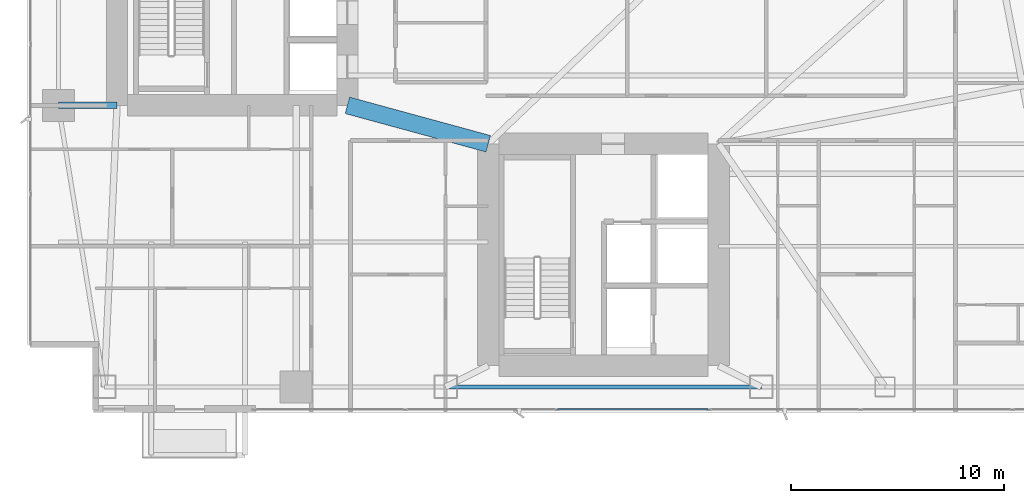
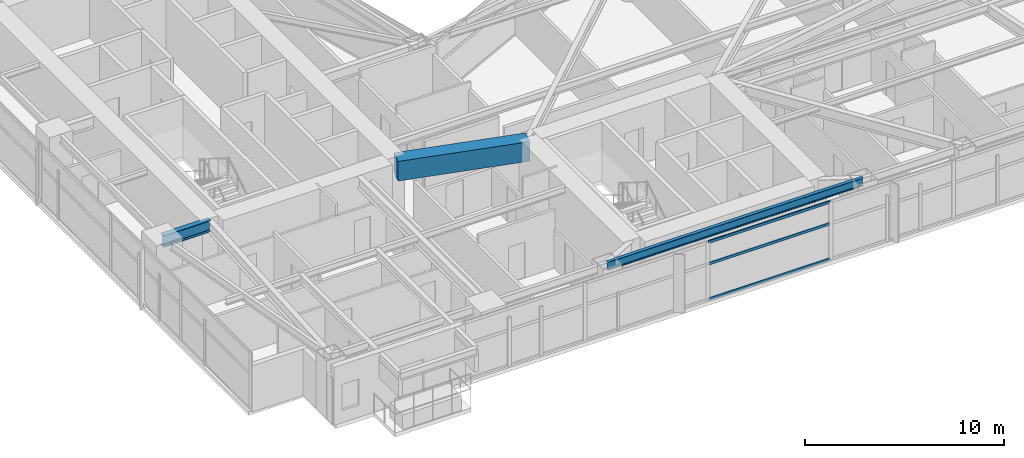
# One storey, part 7 of 30: 3 beams, 3 members, 1 element without a shape of its own.
"""IFC4 building model written with IfcOpenShell, lengths in metres."""

from ifc_helpers import new_model, si_unit, direction, frame, origin, origin_2d, place, context, subcontext, project, spatial, rectangle, hollow_rectangle, i_section, extrude, material, layer, layer_set, material_profile, profile_set, type_object, element, aggregate, save


model = new_model("IFC4")

# Units and contexts
model_context = context("Model", 3, precision=1e-05, world=origin(), true_north=direction((0.0, 1.0)))
body_context = subcontext(model_context, "Body", "Model", "MODEL_VIEW")
ifc_project = project(units=[si_unit("LENGTHUNIT", "METRE"), si_unit("AREAUNIT", "SQUARE_METRE"), si_unit("VOLUMEUNIT", "CUBIC_METRE"), si_unit("PLANEANGLEUNIT", "RADIAN"), si_unit("MASSUNIT", "GRAM", prefix="KILO")], contexts=[model_context])

# Site, building, storey
site_placement = place(None, origin())
site = spatial("IfcSite", under=ifc_project, at=site_placement, CompositionType="ELEMENT")
building_placement = place(site_placement, origin())
building = spatial("IfcBuilding", under=site, at=building_placement, Name="Calvorn Quay Hotel", CompositionType="ELEMENT")
storey_placement = place(building_placement, frame((0.0, 0.0, 77.39990234375)))
storey = spatial("IfcBuildingStorey", under=building, at=storey_placement, Name="L18", CompositionType="ELEMENT", Elevation=77.39990234375)

# Beams
ifc_material_1 = material(Name="Steel Q390GJC", Category="steel")
ifc_material_profile_1 = material_profile(ifc_material_1, i_section(OverallWidth=0.300048828125, OverallDepth=0.699951171875, WebThickness=0.012939453125, FlangeThickness=0.02392578125, FilletRadius=0.02392578125, at=origin_2d()), Name="HN700x300x13x24")
ifc_profile_set_1 = profile_set([ifc_material_profile_1], Name="Steel Q390GJC")
beam_type_1 = type_object("IfcBeamType", Name="BM-GIRD-MAIN", PredefinedType="BEAM", material=ifc_profile_set_1)
beam_1_placement = place(storey_placement, frame((1.449951171875, 16.800048828125, 3.190185546875), z_axis=(1.0, 0.0, 0.0), x_axis=(0.0, 1.0, 0.0)))
element("IfcBeam", 1, at=beam_1_placement, inside=storey, type_object=beam_type_1, Name="Beam BG-L18-W1", PredefinedType="BEAM", context=body_context, shape_type="SweptSolid", body=[
    extrude(i_section(OverallWidth=0.300048828125, OverallDepth=0.699951171875, WebThickness=0.012939453125, FlangeThickness=0.02392578125, FilletRadius=0.02392578125, at=origin_2d()), origin(), (0.0, 0.0, 1.0), 2.75),
])
ifc_material_2 = material(Name="Concrete C60", Category="concrete")
ifc_material_profile_2 = material_profile(ifc_material_2, rectangle(XDim=0.800048828125, YDim=1.199951171875, at=origin_2d()), Name="RCB800x1200")
ifc_profile_set_2 = profile_set([ifc_material_profile_2], Name="Concrete C60")
beam_type_2 = type_object("IfcBeamType", Name="BM-RC-LINK-800x1200", PredefinedType="BEAM", material=ifc_profile_set_2)
beam_2_placement = place(storey_placement, frame((15.0, 16.800048828125, 2.940185546875), z_axis=(0.964762997686, -0.263120425462, 0.0), x_axis=(0.263120425462, 0.964762997686, 0.0)))
element("IfcBeam", 2, at=beam_2_placement, inside=storey, type_object=beam_type_2, Name="Beam BCL-L18-01", PredefinedType="BEAM", context=body_context, shape_type="SweptSolid", body=[
    extrude(rectangle(XDim=0.800048828125, YDim=1.199951171875, at=origin_2d()), origin(), (0.0, 0.0, 1.0), 6.841064453125),
])
ifc_material_3 = material(Name="Steel Q355B", Category="steel")
ifc_material_profile_3 = material_profile(ifc_material_3, i_section(OverallWidth=0.199951171875, OverallDepth=0.5, WebThickness=0.010009765625, FlangeThickness=0.01611328125, FilletRadius=0.01611328125, at=origin_2d()), Name="HN500x200x10x16")
ifc_profile_set_3 = profile_set([ifc_material_profile_3], Name="Steel Q355B")
beam_type_3 = type_object("IfcBeamType", Name="BM-SPANDREL-Z1", PredefinedType="SPANDREL", material=ifc_profile_set_3)
beam_3_placement = place(storey_placement, frame((19.60009765625, 3.60009765625, 3.2900390625), z_axis=(1.0, 0.0, 0.0), x_axis=(0.0, 1.0, 0.0)))
element("IfcBeam", 3, at=beam_3_placement, inside=storey, type_object=beam_type_3, Name="Beam BSP-L18-S3", PredefinedType="SPANDREL", context=body_context, shape_type="SweptSolid", body=[
    extrude(i_section(OverallWidth=0.199951171875, OverallDepth=0.5, WebThickness=0.010009765625, FlangeThickness=0.01611328125, FilletRadius=0.01611328125, at=origin_2d()), origin(), (0.0, 0.0, 1.0), 14.7998046875),
])

# Curtain wall, members
ifc_material_4 = material(Name="Pale Anodised Aluminium and Low-E Glass", Category="aluminium")
ifc_layer = layer(ifc_material_4, 0.219970703125)
ifc_layer_set = layer_set([ifc_layer], Name="CW-SYS-Z1")
curtain_wall_type = type_object("IfcCurtainWallType", Name="CW-SYS-Z1", PredefinedType="NOTDEFINED", material=ifc_layer_set)
curtain_wall_placement = place(storey_placement, origin())
curtain_wall = element("IfcCurtainWall", 4, at=curtain_wall_placement, inside=storey, type_object=curtain_wall_type, Name="Tower South Waterfront Curtain Wall (L18)", PredefinedType="NOTDEFINED")
ifc_material_5 = material(Name="Pale Anodised Aluminium 6063-T6", Category="aluminium")
ifc_material_profile_4 = material_profile(ifc_material_5, hollow_rectangle(XDim=0.06494140625, YDim=0.1650390625, WallThickness=0.00341796875, at=origin_2d()), Name="ALU-T165x65x3.5")
ifc_profile_set_4 = profile_set([ifc_material_profile_4], Name="Pale Anodised Aluminium 6063-T6")
member_type = type_object("IfcMemberType", Name="CW-SYS-Z1-TRN", PredefinedType="USERDEFINED", material=ifc_profile_set_4)
member_1_placement = place(storey_placement, frame((24.858642578125, 2.550048828125, 0.030029296875), z_axis=(1.0, 0.0, 0.0), x_axis=(0.0, 1.0, 0.0)))
member_1 = element("IfcMember", 5, at=member_1_placement, type_object=member_type, Name="CW-L18-S transom 3.1", ObjectType="TRANSOM", PredefinedType="USERDEFINED", context=body_context, shape_type="SweptSolid", body=[
    extrude(hollow_rectangle(XDim=0.06494140625, YDim=0.1650390625, WallThickness=0.00341796875, at=origin_2d()), origin(), (0.0, 0.0, 1.0), 7.05419921875),
])
member_2_placement = place(storey_placement, frame((24.858642578125, 2.550048828125, 2.2001953125), z_axis=(1.0, 0.0, 0.0), x_axis=(0.0, 1.0, 0.0)))
member_2 = element("IfcMember", 6, at=member_2_placement, type_object=member_type, Name="CW-L18-S transom 3.2", ObjectType="TRANSOM", PredefinedType="USERDEFINED", context=body_context, shape_type="SweptSolid", body=[
    extrude(hollow_rectangle(XDim=0.06494140625, YDim=0.1650390625, WallThickness=0.00341796875, at=origin_2d()), origin(), (0.0, 0.0, 1.0), 7.05419921875),
])
member_3_placement = place(storey_placement, frame((24.858642578125, 2.550048828125, 3.530029296875), z_axis=(1.0, 0.0, 0.0), x_axis=(0.0, 1.0, 0.0)))
member_3 = element("IfcMember", 7, at=member_3_placement, type_object=member_type, Name="CW-L18-S transom 3.3", ObjectType="TRANSOM", PredefinedType="USERDEFINED", context=body_context, shape_type="SweptSolid", body=[
    extrude(hollow_rectangle(XDim=0.06494140625, YDim=0.1650390625, WallThickness=0.00341796875, at=origin_2d()), origin(), (0.0, 0.0, 1.0), 7.05419921875),
])
aggregate(curtain_wall, [member_1, member_2, member_3])

save(model, "model.ifc")
